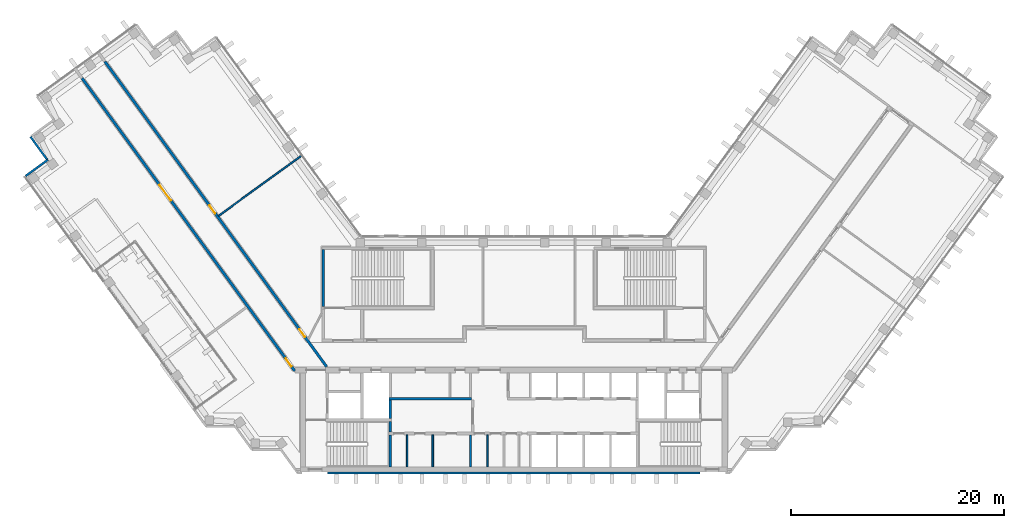
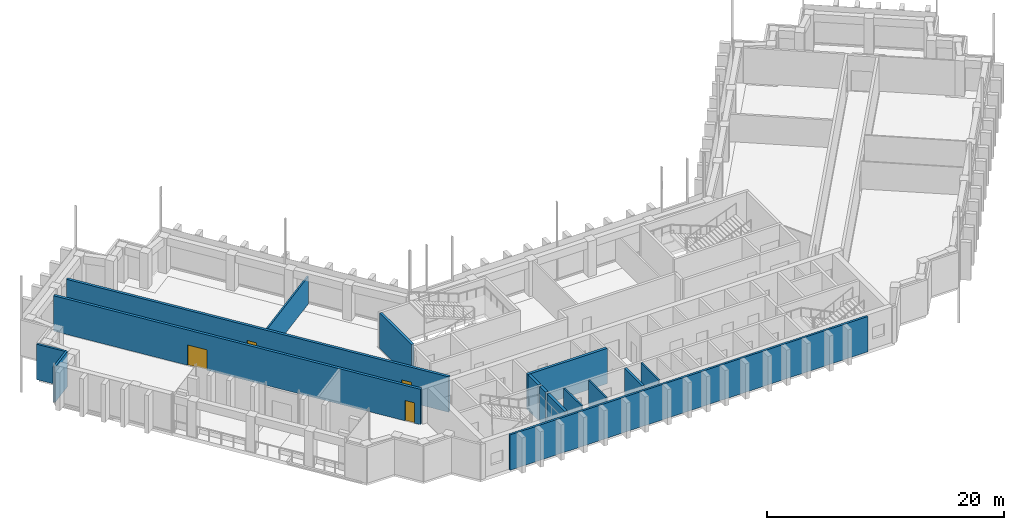
# One storey, part 8 of 15: 15 walls, 4 doors, 4 openings.
"""IFC4 building model written with IfcOpenShell, lengths in metres."""

from ifc_helpers import new_model, si_unit, direction, frame, frame_2d, origin, place, context, subcontext, project, spatial, rectangle, extrude, material, layer, layer_set, type_object, element, fill, save


model = new_model("IFC4")

# Units and contexts
model_context = context("Model", 3, precision=1e-05, world=origin(), true_north=direction((0.0, 1.0)))
body_context = subcontext(model_context, "Body", "Model", "MODEL_VIEW")
ifc_project = project(units=[si_unit("LENGTHUNIT", "METRE"), si_unit("AREAUNIT", "SQUARE_METRE"), si_unit("VOLUMEUNIT", "CUBIC_METRE"), si_unit("PLANEANGLEUNIT", "RADIAN"), si_unit("MASSUNIT", "GRAM", prefix="KILO")], contexts=[model_context])

# Site, building, storey
site_placement = place(None, origin())
site = spatial("IfcSite", under=ifc_project, at=site_placement, CompositionType="ELEMENT")
building_placement = place(site_placement, origin())
building = spatial("IfcBuilding", under=site, at=building_placement, Name="Quipu Civic Tower", CompositionType="ELEMENT")
storey_placement = place(building_placement, frame((0.0, 0.0, 160.0)))
storey = spatial("IfcBuildingStorey", under=building, at=storey_placement, Name="L37", CompositionType="ELEMENT", Elevation=160.0)

# Walls
ifc_material_1 = material(Name="Double gypsum plasterboard with mineral wool")
ifc_layer_1 = layer(ifc_material_1, 0.14990234375)
ifc_layer_set_1 = layer_set([ifc_layer_1], Name="Double gypsum plasterboard with mineral wool")
wall_type_1 = type_object("IfcWallType", Name="Acoustic partition 150 plasterboard", PredefinedType="PARTITIONING", material=ifc_layer_set_1)
wall_1_placement = place(storey_placement, frame((-19.938232421875, 18.62939453125, 0.0), z_axis=(0.0, 0.0, 1.0), x_axis=(-0.80900684162, -0.587799226107, 0.0)))
element("IfcWall", 1, at=wall_1_placement, inside=storey, type_object=wall_type_1, Name="Partition P06", PredefinedType="PARTITIONING", context=body_context, shape_type="SweptSolid", body=[
    extrude(rectangle(XDim=9.550048828125, YDim=0.14990234375, at=frame_2d((4.77490234375, 0.0))), origin(), (0.0, 0.0, 1.0), 2.85009765625),
])
ifc_material_2 = material(Name="Concrete C70/85", Category="concrete")
ifc_layer_2 = layer(ifc_material_2, 0.25)
ifc_layer_set_2 = layer_set([ifc_layer_2], Name="Concrete C70/85")
wall_type_2 = type_object("IfcWallType", Name="Core wall 250", PredefinedType="SHEAR", material=ifc_layer_set_2)
wall_2_placement = place(storey_placement, frame((-11.574951171875, -10.5, 0.0), z_axis=(0.0, 0.0, 1.0), x_axis=(0.0, 1.0, 0.0)))
element("IfcWall", 2, at=wall_2_placement, inside=storey, type_object=wall_type_2, Name="Core wall", PredefinedType="SHEAR", context=body_context, shape_type="SweptSolid", body=[
    extrude(rectangle(XDim=3.0, YDim=0.25, at=frame_2d((1.5, 0.0))), origin(), (0.0, 0.0, 1.0), 3.64990234375),
])
wall_3_placement = place(storey_placement, frame((-11.574951171875, -7.25, 0.0), z_axis=(0.0, 0.0, 1.0), x_axis=(0.0, 1.0, 0.0)))
element("IfcWall", 3, at=wall_3_placement, inside=storey, type_object=wall_type_2, Name="Core wall", PredefinedType="SHEAR", context=body_context, shape_type="SweptSolid", body=[
    extrude(rectangle(XDim=1.0, YDim=0.25, at=frame_2d((0.5, 0.0))), origin(), (0.0, 0.0, 1.0), 3.64990234375),
])
wall_4_placement = place(storey_placement, frame((-11.574951171875, -6.0, 0.0), z_axis=(0.0, 0.0, 1.0), x_axis=(0.0, 1.0, 0.0)))
element("IfcWall", 4, at=wall_4_placement, inside=storey, type_object=wall_type_2, Name="Core wall", PredefinedType="SHEAR", context=body_context, shape_type="SweptSolid", body=[
    extrude(rectangle(XDim=1.75, YDim=0.25, at=frame_2d((0.875, 0.0))), origin(), (0.0, 0.0, 1.0), 3.64990234375),
])
wall_5_placement = place(storey_placement, frame((-11.699951171875, -4.125, 0.0), z_axis=(0.0, 0.0, 1.0), x_axis=(1.0, 0.0, 0.0)))
element("IfcWall", 5, at=wall_5_placement, inside=storey, type_object=wall_type_2, Name="Core wall", PredefinedType="SHEAR", context=body_context, shape_type="SweptSolid", body=[
    extrude(rectangle(XDim=7.75, YDim=0.25, at=frame_2d((3.875, 0.0))), origin(), (0.0, 0.0, 1.0), 3.64990234375),
])
wall_6_placement = place(storey_placement, frame((-17.875, 4.5, 0.0), z_axis=(0.0, 0.0, 1.0), x_axis=(0.0, 1.0, 0.0)))
element("IfcWall", 6, at=wall_6_placement, inside=storey, type_object=wall_type_2, Name="Core wall", PredefinedType="SHEAR", context=body_context, shape_type="SweptSolid", body=[
    extrude(rectangle(XDim=5.35009765625, YDim=0.25, at=frame_2d((2.675048828125, 0.0))), origin(), (0.0, 0.0, 1.0), 3.64990234375),
])

# Wall, openings, doors
ifc_material_3 = material(Name="Concrete C50/60", Category="concrete")
ifc_layer_3 = layer(ifc_material_3, 0.25)
ifc_layer_set_3 = layer_set([ifc_layer_3], Name="Concrete C50/60")
wall_type_3 = type_object("IfcWallType", Name="Corridor wall 250 concrete", PredefinedType="SOLIDWALL", material=ifc_layer_set_3)
wall_7_placement = place(storey_placement, frame((-20.531005859375, -1.5234375, 0.0), z_axis=(0.0, 0.0, 1.0), x_axis=(-0.587781654618, 0.809019608226, 0.0)))
wall_7 = element("IfcWall", 7, at=wall_7_placement, inside=storey, type_object=wall_type_3, Name="Corridor wall C05", PredefinedType="SOLIDWALL", context=body_context, shape_type="SweptSolid", body=[
    extrude(rectangle(XDim=33.9111328125, YDim=0.25, at=frame_2d((16.95556640625, 0.0))), origin(), (0.0, 0.0, 1.0), 3.64990234375),
])
opening_1_placement = place(wall_7_placement, frame((19.743408203125, 0.0, 0.0)))
opening_1 = element("IfcOpeningElement", 8, at=opening_1_placement, cuts=wall_7, Name="Opening D012", PredefinedType="OPENING", context=body_context, shape_type="SweptSolid", body=[
    extrude(rectangle(XDim=1.800048828125, YDim=2.10009765625, at=frame_2d((0.89990234375, 1.050048828125))), frame((0.0, 0.135009765625, 0.0), z_axis=(0.0, -1.0, 0.0), x_axis=(1.0, 0.0, 0.0)), (0.0, 0.0, 1.0), 0.27001953125),
])
opening_2_placement = place(wall_7_placement, frame((0.53271484375, 0.0, 0.0)))
opening_2 = element("IfcOpeningElement", 9, at=opening_2_placement, cuts=wall_7, Name="Opening D013", PredefinedType="OPENING", context=body_context, shape_type="SweptSolid", body=[
    extrude(rectangle(XDim=0.89990234375, YDim=2.10009765625, at=frame_2d((0.449951171875, 1.050048828125))), frame((0.0, 0.135009765625, 0.0), z_axis=(0.0, -1.0, 0.0), x_axis=(1.0, 0.0, 0.0)), (0.0, 0.0, 1.0), 0.27001953125),
])
ifc_material_4 = material(Name="Fire rated timber door set with metal frame", Category="wood")
door_type_1 = type_object("IfcDoorType", Name="Double door 1800 x 2100 FD60", OperationType="DOUBLE_DOOR_SINGLE_SWING", PredefinedType="DOOR", material=ifc_material_4)
door_1_placement = place(opening_1_placement, origin())
door_1 = element("IfcDoor", 10, at=door_1_placement, inside=storey, type_object=door_type_1, Name="Door D012", OperationType="DOUBLE_DOOR_SINGLE_SWING", OverallHeight=2.10009765625, OverallWidth=1.800048828125, PredefinedType="DOOR", context=body_context, shape_type="SweptSolid", body=[
    extrude(rectangle(XDim=1.800048828125, YDim=2.10009765625, at=frame_2d((0.89990234375, 1.050048828125))), frame((0.0, 0.02490234375, 0.0), z_axis=(0.0, -1.0, 0.0), x_axis=(1.0, 0.0, 0.0)), (0.0, 0.0, 1.0), 0.050048828125),
])
fill(opening_1, door_1)
ifc_material_5 = material(Name="Fire rated timber door set with metal frame", Category="wood")
door_type_2 = type_object("IfcDoorType", Name="Single door 900 x 2100 FD60", OperationType="NOTDEFINED", PredefinedType="DOOR", material=ifc_material_5)
door_2_placement = place(opening_2_placement, origin())
door_2 = element("IfcDoor", 11, at=door_2_placement, inside=storey, type_object=door_type_2, Name="Door D013", OperationType="SINGLE_SWING_LEFT", OverallHeight=2.10009765625, OverallWidth=0.89990234375, PredefinedType="DOOR", context=body_context, shape_type="SweptSolid", body=[
    extrude(rectangle(XDim=0.89990234375, YDim=2.10009765625, at=frame_2d((0.449951171875, 1.050048828125))), frame((0.0, 0.02490234375, 0.0), z_axis=(0.0, -1.0, 0.0), x_axis=(1.0, 0.0, 0.0)), (0.0, 0.0, 1.0), 0.050048828125),
])
fill(opening_2, door_2)

wall_8_placement = place(storey_placement, frame((-38.31982421875, 27.46923828125, 0.0), z_axis=(0.0, 0.0, 1.0), x_axis=(0.587788021768, -0.809014982226, 0.0)))
wall_8 = element("IfcWall", 12, at=wall_8_placement, inside=storey, type_object=wall_type_3, Name="Corridor wall C06", PredefinedType="SOLIDWALL", context=body_context, shape_type="SweptSolid", body=[
    extrude(rectangle(XDim=35.34423828125, YDim=0.25, at=frame_2d((17.672119140625, 0.0))), origin(), (0.0, 0.0, 1.0), 3.64990234375),
])
opening_3_placement = place(wall_8_placement, frame((31.002685546875, 0.0, 0.0)))
opening_3 = element("IfcOpeningElement", 13, at=opening_3_placement, cuts=wall_8, Name="Opening D011", PredefinedType="OPENING", context=body_context, shape_type="SweptSolid", body=[
    extrude(rectangle(XDim=0.89990234375, YDim=2.10009765625, at=frame_2d((0.449951171875, 1.050048828125))), frame((0.0, 0.135009765625, 0.0), z_axis=(0.0, -1.0, 0.0), x_axis=(1.0, 0.0, 0.0)), (0.0, 0.0, 1.0), 0.27001953125),
])
opening_4_placement = place(wall_8_placement, frame((16.6865234375, 0.0, 0.0)))
opening_4 = element("IfcOpeningElement", 14, at=opening_4_placement, cuts=wall_8, Name="Opening D010", PredefinedType="OPENING", context=body_context, shape_type="SweptSolid", body=[
    extrude(rectangle(XDim=0.89990234375, YDim=2.10009765625, at=frame_2d((0.449951171875, 1.050048828125))), frame((0.0, 0.135009765625, 0.0), z_axis=(0.0, -1.0, 0.0), x_axis=(1.0, 0.0, 0.0)), (0.0, 0.0, 1.0), 0.27001953125),
])
door_3_placement = place(opening_3_placement, origin())
door_3 = element("IfcDoor", 15, at=door_3_placement, inside=storey, type_object=door_type_2, Name="Door D011", OperationType="SINGLE_SWING_RIGHT", OverallHeight=2.10009765625, OverallWidth=0.89990234375, PredefinedType="DOOR", context=body_context, shape_type="SweptSolid", body=[
    extrude(rectangle(XDim=0.89990234375, YDim=2.10009765625, at=frame_2d((0.449951171875, 1.050048828125))), frame((0.0, 0.02490234375, 0.0), z_axis=(0.0, -1.0, 0.0), x_axis=(1.0, 0.0, 0.0)), (0.0, 0.0, 1.0), 0.050048828125),
])
fill(opening_3, door_3)
door_4_placement = place(opening_4_placement, origin())
door_4 = element("IfcDoor", 16, at=door_4_placement, inside=storey, type_object=door_type_2, Name="Door D010", OperationType="SINGLE_SWING_RIGHT", OverallHeight=2.10009765625, OverallWidth=0.89990234375, PredefinedType="DOOR", context=body_context, shape_type="SweptSolid", body=[
    extrude(rectangle(XDim=0.89990234375, YDim=2.10009765625, at=frame_2d((0.449951171875, 1.050048828125))), frame((0.0, 0.02490234375, 0.0), z_axis=(0.0, -1.0, 0.0), x_axis=(1.0, 0.0, 0.0)), (0.0, 0.0, 1.0), 0.050048828125),
])
fill(opening_4, door_4)

# Walls
ifc_material_6 = material(Name="Gypsum board partition")
ifc_layer_4 = layer(ifc_material_6, 0.14990234375)
ifc_layer_set_4 = layer_set([ifc_layer_4], Name="Gypsum board partition")
wall_type_4 = type_object("IfcWallType", Name="Partition 150", PredefinedType="PARTITIONING", material=ifc_layer_set_4)
for number, where, z_axis, x_axis, name in (
    (17, (-10.0, -10.5, 0.0), (0.0, 0.0, 1.0), (0.0, 1.0, 0.0), "Partition"),
    (18, (-7.60009765625, -10.5, 0.0), (0.0, 0.0, 1.0), (0.0, 1.0, 0.0), "Partition"),
    (19, (-2.47509765625, -10.5, 0.0), (0.0, 0.0, 1.0), (0.0, 1.0, 0.0), "Partition"),
):
    element("IfcWall", number, at=place(storey_placement, frame(where, z_axis=z_axis, x_axis=x_axis)), inside=storey, type_object=wall_type_4, Name=name, PredefinedType="PARTITIONING", context=body_context, shape_type="SweptSolid", body=[
        extrude(rectangle(XDim=3.0, YDim=0.14990234375, at=frame_2d((1.5, 0.0))), origin(), (0.0, 0.0, 1.0), 3.64990234375),
    ])
ifc_material_7 = material(Name="Precast concrete C40/50", Category="concrete")
wall_type_5 = type_object("IfcWallType", Name="Precast cladding wall", PredefinedType="SOLIDWALL", material=ifc_material_7)
wall_9_placement = place(storey_placement, frame((-45.29638671875, 20.43359375, 0.0), z_axis=(0.0, 0.0, 1.0), x_axis=(0.587762999008, -0.809033161865, 0.0)))
element("IfcWall", 20, at=wall_9_placement, inside=storey, type_object=wall_type_5, Name="Precast cladding wall L37 P02", PredefinedType="SOLIDWALL", context=body_context, shape_type="SweptSolid", body=[
    extrude(rectangle(XDim=2.699951171875, YDim=0.199951171875, at=frame_2d((1.35009765625, 0.0))), origin(), (0.0, 0.0, 1.0), 3.64990234375),
])
wall_10_placement = place(storey_placement, frame((-43.658203125, 18.271728515625, 0.0), z_axis=(0.0, 0.0, 1.0), x_axis=(-0.808979656733, -0.587836639716, 0.0)))
element("IfcWall", 21, at=wall_10_placement, inside=storey, type_object=wall_type_5, Name="Precast cladding wall L37 P03", PredefinedType="SOLIDWALL", context=body_context, shape_type="SweptSolid", body=[
    extrude(rectangle(XDim=2.599853515625, YDim=0.199951171875, at=frame_2d((1.2998046875, 0.0))), origin(), (0.0, 0.0, 1.0), 3.64990234375),
])
wall_11_placement = place(storey_placement, frame((-17.44384765625, -11.087890625, 0.0), z_axis=(0.0, 0.0, 1.0), x_axis=(1.0, 0.0, 0.0)))
element("IfcWall", 22, at=wall_11_placement, inside=storey, type_object=wall_type_5, Name="Precast cladding wall L37 P16", PredefinedType="SOLIDWALL", context=body_context, shape_type="SweptSolid", body=[
    extrude(rectangle(XDim=34.8876953125, YDim=0.199951171875, at=frame_2d((17.44384765625, 0.0))), origin(), (0.0, 0.0, 1.0), 3.64990234375),
])
ifc_material_8 = material(Name="Concrete C40/50", Category="concrete")
ifc_layer_5 = layer(ifc_material_8, 0.199951171875)
ifc_layer_set_5 = layer_set([ifc_layer_5], Name="Concrete C40/50")
wall_type_6 = type_object("IfcWallType", Name="Shaft wall 200", PredefinedType="SOLIDWALL", material=ifc_layer_set_5)
wall_12_placement = place(storey_placement, frame((-4.050048828125, -10.5, 0.0), z_axis=(0.0, 0.0, 1.0), x_axis=(0.0, 1.0, 0.0)))
element("IfcWall", 23, at=wall_12_placement, inside=storey, type_object=wall_type_6, Name="Shaft wall", PredefinedType="SOLIDWALL", context=body_context, shape_type="SweptSolid", body=[
    extrude(rectangle(XDim=3.0, YDim=0.199951171875, at=frame_2d((1.5, 0.0))), origin(), (0.0, 0.0, 1.0), 3.64990234375),
])

save(model, "model.ifc")
